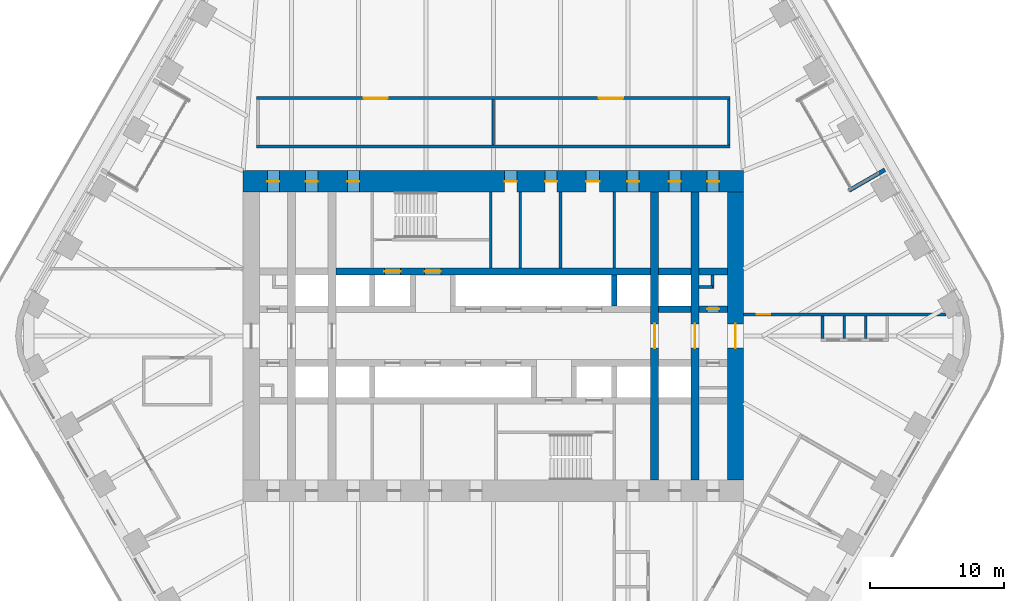
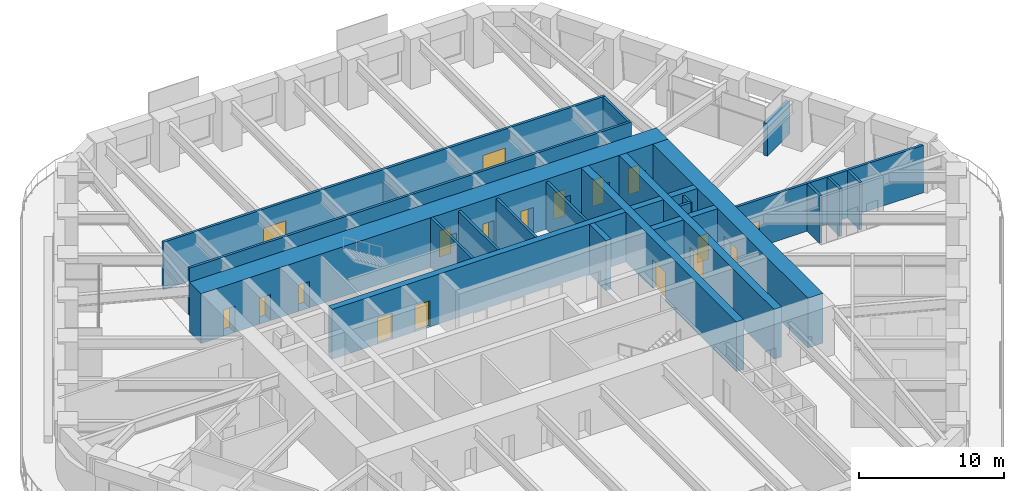
# One storey, part 20 of 24: 25 walls, 18 doors, 18 openings.
"""IFC4 building model written with IfcOpenShell, lengths in metres."""

from ifc_helpers import new_model, si_unit, direction, frame, frame_2d, origin, place, context, subcontext, project, spatial, rectangle, extrude, material, layer, layer_set, type_object, element, fill, save


model = new_model("IFC4")

# Units and contexts
model_context = context("Model", 3, precision=1e-05, world=origin(), true_north=direction((0.0, 1.0)))
body_context = subcontext(model_context, "Body", "Model", "MODEL_VIEW")
ifc_project = project(units=[si_unit("LENGTHUNIT", "METRE"), si_unit("AREAUNIT", "SQUARE_METRE"), si_unit("VOLUMEUNIT", "CUBIC_METRE"), si_unit("PLANEANGLEUNIT", "RADIAN"), si_unit("MASSUNIT", "GRAM", prefix="KILO")], contexts=[model_context])

# Site, building, storey
site_placement = place(None, origin())
site = spatial("IfcSite", under=ifc_project, at=site_placement, CompositionType="ELEMENT")
building_placement = place(site_placement, origin())
building = spatial("IfcBuilding", under=site, at=building_placement, Name="Tarfa Lantern Tower", CompositionType="ELEMENT")
storey_placement = place(building_placement, frame((0.0, 0.0, 165.699951171875)))
storey = spatial("IfcBuildingStorey", under=building, at=storey_placement, Name="L37", CompositionType="ELEMENT", Elevation=165.699951171875)

# Walls
ifc_material_1 = material(Name="Limestone cladding on blockwork", Category="masonry")
ifc_layer_1 = layer(ifc_material_1, 0.300048828125)
ifc_layer_set_1 = layer_set([ifc_layer_1], Name="EW1 STONE-CLAD WALL 300")
wall_type_1 = type_object("IfcWallType", Name="EW1 STONE-CLAD WALL 300", PredefinedType="SOLIDWALL", material=ifc_layer_set_1)
wall_1_placement = place(storey_placement, frame((29.1201171875, 12.362548828125, 0.0), z_axis=(0.0, 0.0, 1.0), x_axis=(-0.86602952684, -0.49999285859, 0.0)))
element("IfcWall", 1, at=wall_1_placement, inside=storey, type_object=wall_type_1, Name="Loggia return NE 1", PredefinedType="SOLIDWALL", context=body_context, shape_type="SweptSolid", body=[
    extrude(rectangle(XDim=3.10009765625, YDim=0.300048828125, at=frame_2d((1.550048828125, 0.0))), origin(), (0.0, 0.0, 1.0), 2.75),
])
ifc_material_2 = material(Name="Concrete blockwork", Category="masonry")
ifc_layer_2 = layer(ifc_material_2, 0.199951171875)
ifc_layer_set_2 = layer_set([ifc_layer_2], Name="IW1 BLOCKWORK PARTITION 200 EI 120")
wall_type_2 = type_object("IfcWallType", Name="IW1 BLOCKWORK PARTITION 200 EI 120", PredefinedType="PARTITIONING", material=ifc_layer_set_2)
for number, where, z_axis, x_axis, name in (
    (2, (9.0, 5.050048828125, 0.0), (0.0, 0.0, 1.0), (0.0, 1.0, 0.0), "Core partition"),
    (3, (2.0, 5.050048828125, 0.0), (0.0, 0.0, 1.0), (0.0, 1.0, 0.0), "Core partition"),
    (4, (5.0, 5.050048828125, 0.0), (0.0, 0.0, 1.0), (0.0, 1.0, 0.0), "Core partition"),
):
    element("IfcWall", number, at=place(storey_placement, frame(where, z_axis=z_axis, x_axis=x_axis)), inside=storey, type_object=wall_type_2, Name=name, PredefinedType="PARTITIONING", context=body_context, shape_type="SweptSolid", body=[
        extrude(rectangle(XDim=5.64990234375, YDim=0.199951171875, at=frame_2d((2.824951171875, 0.0))), origin(), (0.0, 0.0, 1.0), 4.0),
    ])
for number, where, z_axis, x_axis, name in (
    (5, (15.300048828125, 3.64990234375, 0.0), (0.0, 0.0, 1.0), (1.0, 0.0, 0.0), "Core partition"),
    (6, (16.300048828125, 3.550048828125, 0.0), (0.0, 0.0, 1.0), (0.0, 1.0, 0.0), "Core partition"),
):
    element("IfcWall", number, at=place(storey_placement, frame(where, z_axis=z_axis, x_axis=x_axis)), inside=storey, type_object=wall_type_2, Name=name, PredefinedType="PARTITIONING", context=body_context, shape_type="SweptSolid", body=[
        extrude(rectangle(XDim=1.0, YDim=0.199951171875, at=frame_2d((0.5, 0.0))), origin(), (0.0, 0.0, 1.0), 4.0),
    ])
ifc_material_3 = material(Name="Gypsum board on steel studs", Category="steel")
ifc_layer_3 = layer(ifc_material_3, 0.2099609375)
ifc_layer_set_3 = layer_set([ifc_layer_3], Name="IW2 ACOUSTIC PARTITION 200")
wall_type_3 = type_object("IfcWallType", Name="IW2 ACOUSTIC PARTITION 200", PredefinedType="PARTITIONING", material=ifc_layer_set_3)
wall_2_placement = place(storey_placement, frame((-17.60009765625, 14.10009765625, 0.0), z_axis=(0.0, 0.0, 1.0), x_axis=(1.0, 0.0, 0.0)))
element("IfcWall", 7, at=wall_2_placement, inside=storey, type_object=wall_type_3, Name="Partition", PredefinedType="PARTITIONING", context=body_context, shape_type="SweptSolid", body=[
    extrude(rectangle(XDim=35.2001953125, YDim=0.199951171875, at=frame_2d((17.60009765625, 0.0))), origin(), (0.0, 0.0, 1.0), 4.0),
])

# Wall, openings, doors
wall_3_placement = place(storey_placement, frame((-17.60009765625, 17.699951171875, 0.0), z_axis=(0.0, 0.0, 1.0), x_axis=(1.0, 0.0, 0.0)))
wall_3 = element("IfcWall", 8, at=wall_3_placement, inside=storey, type_object=wall_type_3, Name="Partition", PredefinedType="PARTITIONING", context=body_context, shape_type="SweptSolid", body=[
    extrude(rectangle(XDim=35.2001953125, YDim=0.199951171875, at=frame_2d((17.60009765625, 0.0))), origin(), (0.0, 0.0, 1.0), 4.0),
])
opening_1_placement = place(wall_3_placement, frame((7.949951171875, 0.0, 0.0)))
opening_1 = element("IfcOpeningElement", 9, at=opening_1_placement, cuts=wall_3, Name="Opening D39", PredefinedType="OPENING", context=body_context, shape_type="SweptSolid", body=[
    extrude(rectangle(XDim=1.800048828125, YDim=2.39990234375, at=frame_2d((0.89990234375, 1.199951171875))), frame((0.0, 0.10986328125, 0.0), z_axis=(0.0, -1.0, 0.0), x_axis=(1.0, 0.0, 0.0)), (0.0, 0.0, 1.0), 0.219970703125),
])
opening_2_placement = place(wall_3_placement, frame((25.449951171875, 0.0, 0.0)))
opening_2 = element("IfcOpeningElement", 10, at=opening_2_placement, cuts=wall_3, Name="Opening D40", PredefinedType="OPENING", context=body_context, shape_type="SweptSolid", body=[
    extrude(rectangle(XDim=1.800048828125, YDim=2.39990234375, at=frame_2d((0.89990234375, 1.199951171875))), frame((0.0, 0.10986328125, 0.0), z_axis=(0.0, -1.0, 0.0), x_axis=(1.0, 0.0, 0.0)), (0.0, 0.0, 1.0), 0.219970703125),
])
ifc_material_4 = material(Name="Timber door", Category="wood")
door_type_1 = type_object("IfcDoorType", Name="DR2 ROOM DOOR 1800x2400", OperationType="DOUBLE_DOOR_SINGLE_SWING", PredefinedType="DOOR", material=ifc_material_4)
door_1_placement = place(opening_1_placement, frame((1.800048828125, 0.0, 0.0), z_axis=(0.0, 0.0, 1.0), x_axis=(-1.0, 0.0, 0.0)))
door_1 = element("IfcDoor", 11, at=door_1_placement, inside=storey, type_object=door_type_1, Name="Interview room door", OperationType="DOUBLE_DOOR_SINGLE_SWING", OverallHeight=2.39990234375, OverallWidth=1.800048828125, PredefinedType="DOOR", context=body_context, shape_type="SweptSolid", body=[
    extrude(rectangle(XDim=1.800048828125, YDim=2.39990234375, at=frame_2d((0.89990234375, 1.199951171875))), frame((0.0, 0.02490234375, 0.0), z_axis=(0.0, -1.0, 0.0), x_axis=(1.0, 0.0, 0.0)), (0.0, 0.0, 1.0), 0.050048828125),
])
fill(opening_1, door_1)
door_2_placement = place(opening_2_placement, frame((1.800048828125, 0.0, 0.0), z_axis=(0.0, 0.0, 1.0), x_axis=(-1.0, 0.0, 0.0)))
door_2 = element("IfcDoor", 12, at=door_2_placement, inside=storey, type_object=door_type_1, Name="Interview room door", OperationType="DOUBLE_DOOR_SINGLE_SWING", OverallHeight=2.39990234375, OverallWidth=1.800048828125, PredefinedType="DOOR", context=body_context, shape_type="SweptSolid", body=[
    extrude(rectangle(XDim=1.800048828125, YDim=2.39990234375, at=frame_2d((0.89990234375, 1.199951171875))), frame((0.0, 0.02490234375, 0.0), z_axis=(0.0, -1.0, 0.0), x_axis=(1.0, 0.0, 0.0)), (0.0, 0.0, 1.0), 0.050048828125),
])
fill(opening_2, door_2)

# Walls
wall_4_placement = place(storey_placement, frame((0.0, 14.199951171875, 0.0), z_axis=(0.0, 0.0, 1.0), x_axis=(0.0, 1.0, 0.0)))
element("IfcWall", 13, at=wall_4_placement, inside=storey, type_object=wall_type_3, Name="Partition", PredefinedType="PARTITIONING", context=body_context, shape_type="SweptSolid", body=[
    extrude(rectangle(XDim=3.400146484375, YDim=0.199951171875, at=frame_2d((1.7001953125, 0.0))), origin(), (0.0, 0.0, 1.0), 2.991943359375),
])
wall_5_placement = place(storey_placement, frame((17.5, 14.199951171875, 0.0), z_axis=(0.0, 0.0, 1.0), x_axis=(0.0, 1.0, 0.0)))
element("IfcWall", 14, at=wall_5_placement, inside=storey, type_object=wall_type_3, Name="Partition", PredefinedType="PARTITIONING", context=body_context, shape_type="SweptSolid", body=[
    extrude(rectangle(XDim=3.400146484375, YDim=0.199951171875, at=frame_2d((1.7001953125, 0.0))), origin(), (0.0, 0.0, 1.0), 4.0),
])

# Wall, opening, door
wall_6_placement = place(storey_placement, frame((18.60009765625, 1.60009765625, 0.0), z_axis=(0.0, 0.0, 1.0), x_axis=(1.0, 0.0, 0.0)))
wall_6 = element("IfcWall", 15, at=wall_6_placement, inside=storey, type_object=wall_type_3, Name="Partition", PredefinedType="PARTITIONING", context=body_context, shape_type="SweptSolid", body=[
    extrude(rectangle(XDim=15.059326171875, YDim=0.199951171875, at=frame_2d((7.52978515625, 0.0))), origin(), (0.0, 0.0, 1.0), 4.0),
])
opening_3_placement = place(wall_6_placement, frame((1.005859375, 0.0, 0.0)))
opening_3 = element("IfcOpeningElement", 16, at=opening_3_placement, cuts=wall_6, Name="Opening D47", PredefinedType="OPENING", context=body_context, shape_type="SweptSolid", body=[
    extrude(rectangle(XDim=1.0, YDim=2.199951171875, at=frame_2d((0.5, 1.10009765625))), frame((0.0, 0.10986328125, 0.0), z_axis=(0.0, -1.0, 0.0), x_axis=(1.0, 0.0, 0.0)), (0.0, 0.0, 1.0), 0.219970703125),
])
door_type_2 = type_object("IfcDoorType", Name="DR1 ROOM DOOR 1000x2200", OperationType="SINGLE_SWING_LEFT", PredefinedType="DOOR", material=ifc_material_4)
door_3_placement = place(opening_3_placement, frame((1.0, 0.0, 0.0), z_axis=(0.0, 0.0, 1.0), x_axis=(-1.0, 0.0, 0.0)))
door_3 = element("IfcDoor", 17, at=door_3_placement, inside=storey, type_object=door_type_2, Name="Zone door", OperationType="SINGLE_SWING_LEFT", OverallHeight=2.199951171875, OverallWidth=1.0, PredefinedType="DOOR", context=body_context, shape_type="SweptSolid", body=[
    extrude(rectangle(XDim=1.0, YDim=2.199951171875, at=frame_2d((0.5, 1.10009765625))), frame((0.0, 0.02490234375, 0.0), z_axis=(0.0, -1.0, 0.0), x_axis=(1.0, 0.0, 0.0)), (0.0, 0.0, 1.0), 0.050048828125),
])
fill(opening_3, door_3)

# Walls
for number, where, z_axis, x_axis, name in (
    (18, (24.482666015625, 1.5, 0.0), (0.0, 0.0, 1.0), (0.0, -1.0, 0.0), "Partition"),
    (19, (26.082763671875, 1.5, 0.0), (0.0, 0.0, 1.0), (0.0, -1.0, 0.0), "Partition"),
    (20, (27.6826171875, 1.5, 0.0), (0.0, 0.0, 1.0), (0.0, -1.0, 0.0), "Partition"),
):
    element("IfcWall", number, at=place(storey_placement, frame(where, z_axis=z_axis, x_axis=x_axis)), inside=storey, type_object=wall_type_3, Name=name, PredefinedType="PARTITIONING", context=body_context, shape_type="SweptSolid", body=[
        extrude(rectangle(XDim=1.699951171875, YDim=0.199951171875, at=frame_2d((0.85009765625, 0.0))), origin(), (0.0, 0.0, 1.0), 4.0),
    ])

# Wall, opening, door
ifc_material_5 = material(Name="Concrete C80/95", Category="concrete")
ifc_layer_4 = layer(ifc_material_5, 1.199951171875)
ifc_layer_set_4 = layer_set([ifc_layer_4], Name="SW1 CORE WALL 1200")
wall_type_4 = type_object("IfcWallType", Name="SW1 CORE WALL 1200", PredefinedType="SHEAR", material=ifc_layer_set_4)
wall_7_placement = place(storey_placement, frame((18.0, -10.699951171875, 0.0), z_axis=(0.0, 0.0, 1.0), x_axis=(0.0, 1.0, 0.0)))
wall_7 = element("IfcWall", 21, at=wall_7_placement, inside=storey, type_object=wall_type_4, Name="Core wall E", PredefinedType="SHEAR", context=body_context, shape_type="SweptSolid", body=[
    extrude(rectangle(XDim=21.39990234375, YDim=1.199951171875, at=frame_2d((10.699951171875, 0.0))), origin(), (0.0, 0.0, 1.0), 4.199951171875),
])
opening_4_placement = place(wall_7_placement, frame((9.800048828125, 0.0, 0.0)))
opening_4 = element("IfcOpeningElement", 22, at=opening_4_placement, cuts=wall_7, Name="Opening D15", PredefinedType="OPENING", context=body_context, shape_type="SweptSolid", body=[
    extrude(rectangle(XDim=1.800048828125, YDim=2.39990234375, at=frame_2d((0.89990234375, 1.199951171875))), frame((0.0, 0.60986328125, 0.0), z_axis=(0.0, -1.0, 0.0), x_axis=(1.0, 0.0, 0.0)), (0.0, 0.0, 1.0), 1.219970703125),
])
ifc_material_6 = material(Name="Steel fire door", Category="steel")
door_type_3 = type_object("IfcDoorType", Name="DL1 LOBBY DOOR 1800x2400", OperationType="DOUBLE_DOOR_SINGLE_SWING", PredefinedType="DOOR", material=ifc_material_6)
door_4_placement = place(opening_4_placement, frame((1.800048828125, 0.0, 0.0), z_axis=(0.0, 0.0, 1.0), x_axis=(-1.0, 0.0, 0.0)))
door_4 = element("IfcDoor", 23, at=door_4_placement, inside=storey, type_object=door_type_3, Name="Lift lobby door", OperationType="DOUBLE_DOOR_SINGLE_SWING", OverallHeight=2.39990234375, OverallWidth=1.800048828125, PredefinedType="DOOR", context=body_context, shape_type="SweptSolid", body=[
    extrude(rectangle(XDim=1.800048828125, YDim=2.39990234375, at=frame_2d((0.89990234375, 1.199951171875))), frame((0.0, 0.02490234375, 0.0), z_axis=(0.0, -1.0, 0.0), x_axis=(1.0, 0.0, 0.0)), (0.0, 0.0, 1.0), 0.050048828125),
])
fill(opening_4, door_4)

# Walls
ifc_layer_5 = layer(ifc_material_5, 0.199951171875)
ifc_layer_set_5 = layer_set([ifc_layer_5], Name="SW12 CORE WALL 200")
wall_type_5 = type_object("IfcWallType", Name="SW12 CORE WALL 200", PredefinedType="SHEAR", material=ifc_layer_set_5)
wall_8_placement = place(storey_placement, frame((-0.199951171875, 5.050048828125, 0.0), z_axis=(0.0, 0.0, 1.0), x_axis=(0.0, 1.0, 0.0)))
element("IfcWall", 24, at=wall_8_placement, inside=storey, type_object=wall_type_5, Name="Core wall stair shaft N", PredefinedType="SHEAR", context=body_context, shape_type="SweptSolid", body=[
    extrude(rectangle(XDim=5.64990234375, YDim=0.199951171875, at=frame_2d((2.824951171875, 0.0))), origin(), (0.0, 0.0, 1.0), 4.199951171875),
])
ifc_layer_6 = layer(ifc_material_5, 0.5)
ifc_layer_set_6 = layer_set([ifc_layer_6], Name="SW5 CORE WALL 500")
wall_type_6 = type_object("IfcWallType", Name="SW5 CORE WALL 500", PredefinedType="SHEAR", material=ifc_layer_set_6)
wall_9_placement = place(storey_placement, frame((12.300048828125, 2.0, 0.0), z_axis=(0.0, 0.0, 1.0), x_axis=(1.0, 0.0, 0.0)))
element("IfcWall", 25, at=wall_9_placement, inside=storey, type_object=wall_type_6, Name="Core wall lobby east N", PredefinedType="SHEAR", context=body_context, shape_type="SweptSolid", body=[
    extrude(rectangle(XDim=2.39990234375, YDim=0.5, at=frame_2d((1.199951171875, 0.0))), origin(), (0.0, 0.0, 1.0), 4.199951171875),
])

# Wall, opening, door
wall_10_placement = place(storey_placement, frame((15.300048828125, 2.0, 0.0), z_axis=(0.0, 0.0, 1.0), x_axis=(1.0, 0.0, 0.0)))
wall_10 = element("IfcWall", 26, at=wall_10_placement, inside=storey, type_object=wall_type_6, Name="Core wall lobby east N", PredefinedType="SHEAR", context=body_context, shape_type="SweptSolid", body=[
    extrude(rectangle(XDim=2.099853515625, YDim=0.5, at=frame_2d((1.0498046875, 0.0))), origin(), (0.0, 0.0, 1.0), 4.199951171875),
])
opening_5_placement = place(wall_10_placement, frame((0.60009765625, 0.0, 0.0)))
opening_5 = element("IfcOpeningElement", 27, at=opening_5_placement, cuts=wall_10, Name="Opening D17", PredefinedType="OPENING", context=body_context, shape_type="SweptSolid", body=[
    extrude(rectangle(XDim=0.89990234375, YDim=2.199951171875, at=frame_2d((0.449951171875, 1.10009765625))), frame((0.0, 0.260009765625, 0.0), z_axis=(0.0, -1.0, 0.0), x_axis=(1.0, 0.0, 0.0)), (0.0, 0.0, 1.0), 0.52001953125),
])
door_type_4 = type_object("IfcDoorType", Name="DF6 SERVICE ROOM DOOR 900x2200", OperationType="SINGLE_SWING_LEFT", PredefinedType="DOOR", material=ifc_material_6)
door_5_placement = place(opening_5_placement, origin())
door_5 = element("IfcDoor", 28, at=door_5_placement, inside=storey, type_object=door_type_4, Name="Service room door", OperationType="SINGLE_SWING_LEFT", OverallHeight=2.199951171875, OverallWidth=0.89990234375, PredefinedType="DOOR", context=body_context, shape_type="SweptSolid", body=[
    extrude(rectangle(XDim=0.89990234375, YDim=2.199951171875, at=frame_2d((0.449951171875, 1.10009765625))), frame((0.0, 0.02490234375, 0.0), z_axis=(0.0, -1.0, 0.0), x_axis=(1.0, 0.0, 0.0)), (0.0, 0.0, 1.0), 0.050048828125),
])
fill(opening_5, door_5)

# Wall, openings, doors
wall_11_placement = place(storey_placement, frame((-11.699951171875, 4.800048828125, 0.0), z_axis=(0.0, 0.0, 1.0), x_axis=(1.0, 0.0, 0.0)))
wall_11 = element("IfcWall", 29, at=wall_11_placement, inside=storey, type_object=wall_type_6, Name="Core wall rear N", PredefinedType="SHEAR", context=body_context, shape_type="SweptSolid", body=[
    extrude(rectangle(XDim=23.39990234375, YDim=0.5, at=frame_2d((11.699951171875, 0.0))), origin(), (0.0, 0.0, 1.0), 4.199951171875),
])
opening_6_placement = place(wall_11_placement, frame((6.60009765625, 0.0, 0.0)))
opening_6 = element("IfcOpeningElement", 30, at=opening_6_placement, cuts=wall_11, Name="Opening D13", PredefinedType="OPENING", context=body_context, shape_type="SweptSolid", body=[
    extrude(rectangle(XDim=1.199951171875, YDim=2.199951171875, at=frame_2d((0.60009765625, 1.10009765625))), frame((0.0, 0.260009765625, 0.0), z_axis=(0.0, -1.0, 0.0), x_axis=(1.0, 0.0, 0.0)), (0.0, 0.0, 1.0), 0.52001953125),
])
opening_7_placement = place(wall_11_placement, frame((3.60009765625, 0.0, 0.0)))
opening_7 = element("IfcOpeningElement", 31, at=opening_7_placement, cuts=wall_11, Name="Opening LD01", PredefinedType="OPENING", context=body_context, shape_type="SweptSolid", body=[
    extrude(rectangle(XDim=1.199951171875, YDim=2.199951171875, at=frame_2d((0.60009765625, 1.10009765625))), frame((0.0, 0.260009765625, 0.0), z_axis=(0.0, -1.0, 0.0), x_axis=(1.0, 0.0, 0.0)), (0.0, 0.0, 1.0), 0.52001953125),
])
door_type_5 = type_object("IfcDoorType", Name="DF1 FIREFIGHTING LOBBY DOOR 1200x2200", OperationType="SINGLE_SWING_LEFT", PredefinedType="DOOR", material=ifc_material_6)
door_6_placement = place(opening_6_placement, origin())
door_6 = element("IfcDoor", 32, at=door_6_placement, inside=storey, type_object=door_type_5, Name="Firefighting lobby door", OperationType="SINGLE_SWING_LEFT", OverallHeight=2.199951171875, OverallWidth=1.199951171875, PredefinedType="DOOR", context=body_context, shape_type="SweptSolid", body=[
    extrude(rectangle(XDim=1.199951171875, YDim=2.199951171875, at=frame_2d((0.60009765625, 1.10009765625))), frame((0.0, 0.02490234375, 0.0), z_axis=(0.0, -1.0, 0.0), x_axis=(1.0, 0.0, 0.0)), (0.0, 0.0, 1.0), 0.050048828125),
])
fill(opening_6, door_6)
ifc_material_7 = material(Name="Stainless steel lift door", Category="steel")
door_type_6 = type_object("IfcDoorType", Name="LD1 LIFT LANDING DOOR 1200x2200", OperationType="SLIDING_TO_LEFT", PredefinedType="DOOR", material=ifc_material_7)
door_7_placement = place(opening_7_placement, origin())
door_7 = element("IfcDoor", 33, at=door_7_placement, inside=storey, type_object=door_type_6, Name="Landing door FL1", OperationType="SLIDING_TO_LEFT", OverallHeight=2.199951171875, OverallWidth=1.199951171875, PredefinedType="DOOR", context=body_context, shape_type="SweptSolid", body=[
    extrude(rectangle(XDim=1.199951171875, YDim=2.199951171875, at=frame_2d((0.60009765625, 1.10009765625))), frame((0.0, 0.02490234375, 0.0), z_axis=(0.0, -1.0, 0.0), x_axis=(1.0, 0.0, 0.0)), (0.0, 0.0, 1.0), 0.050048828125),
])
fill(opening_7, door_7)

# Walls
wall_12_placement = place(storey_placement, frame((12.300048828125, 4.800048828125, 0.0), z_axis=(0.0, 0.0, 1.0), x_axis=(1.0, 0.0, 0.0)))
element("IfcWall", 34, at=wall_12_placement, inside=storey, type_object=wall_type_6, Name="Core wall rear N", PredefinedType="SHEAR", context=body_context, shape_type="SweptSolid", body=[
    extrude(rectangle(XDim=2.39990234375, YDim=0.5, at=frame_2d((1.199951171875, 0.0))), origin(), (0.0, 0.0, 1.0), 4.199951171875),
])
wall_13_placement = place(storey_placement, frame((15.300048828125, 4.800048828125, 0.0), z_axis=(0.0, 0.0, 1.0), x_axis=(1.0, 0.0, 0.0)))
element("IfcWall", 35, at=wall_13_placement, inside=storey, type_object=wall_type_6, Name="Core wall rear N", PredefinedType="SHEAR", context=body_context, shape_type="SweptSolid", body=[
    extrude(rectangle(XDim=2.099853515625, YDim=0.5, at=frame_2d((1.0498046875, 0.0))), origin(), (0.0, 0.0, 1.0), 4.199951171875),
])
ifc_layer_7 = layer(ifc_material_5, 0.39990234375)
ifc_layer_set_7 = layer_set([ifc_layer_7], Name="SW6 CORE WALL 400")
wall_type_7 = type_object("IfcWallType", Name="SW6 CORE WALL 400", PredefinedType="SHEAR", material=ifc_layer_set_7)
wall_14_placement = place(storey_placement, frame((9.0, 2.25, 0.0), z_axis=(0.0, 0.0, 1.0), x_axis=(0.0, 1.0, 0.0)))
element("IfcWall", 36, at=wall_14_placement, inside=storey, type_object=wall_type_7, Name="Core wall divider N", PredefinedType="SHEAR", context=body_context, shape_type="SweptSolid", body=[
    extrude(rectangle(XDim=2.300048828125, YDim=0.39990234375, at=frame_2d((1.14990234375, 0.0))), origin(), (0.0, 0.0, 1.0), 4.199951171875),
])

# Wall, openings, doors
ifc_layer_8 = layer(ifc_material_5, 1.60009765625)
ifc_layer_set_8 = layer_set([ifc_layer_8], Name="SW7 CORE WALL 1600")
wall_type_8 = type_object("IfcWallType", Name="SW7 CORE WALL 1600", PredefinedType="SHEAR", material=ifc_layer_set_8)
wall_15_placement = place(storey_placement, frame((-18.60009765625, 11.5, 0.0), z_axis=(0.0, 0.0, 1.0), x_axis=(1.0, 0.0, 0.0)))
wall_15 = element("IfcWall", 37, at=wall_15_placement, inside=storey, type_object=wall_type_8, Name="Core wall N", PredefinedType="SHEAR", context=body_context, shape_type="SweptSolid", body=[
    extrude(rectangle(XDim=37.2001953125, YDim=1.60009765625, at=frame_2d((18.60009765625, 0.0))), origin(), (0.0, 0.0, 1.0), 4.199951171875),
])
opening_8_placement = place(wall_15_placement, frame((19.449951171875, 0.0, 0.0)))
opening_8 = element("IfcOpeningElement", 38, at=opening_8_placement, cuts=wall_15, Name="Opening D21", PredefinedType="OPENING", context=body_context, shape_type="SweptSolid", body=[
    extrude(rectangle(XDim=0.89990234375, YDim=2.199951171875, at=frame_2d((0.449951171875, 1.10009765625))), frame((0.0, 0.81005859375, 0.0), z_axis=(0.0, -1.0, 0.0), x_axis=(1.0, 0.0, 0.0)), (0.0, 0.0, 1.0), 1.6201171875),
])
opening_9_placement = place(wall_15_placement, frame((22.449951171875, 0.0, 0.0)))
opening_9 = element("IfcOpeningElement", 39, at=opening_9_placement, cuts=wall_15, Name="Opening D23", PredefinedType="OPENING", context=body_context, shape_type="SweptSolid", body=[
    extrude(rectangle(XDim=0.89990234375, YDim=2.199951171875, at=frame_2d((0.449951171875, 1.10009765625))), frame((0.0, 0.81005859375, 0.0), z_axis=(0.0, -1.0, 0.0), x_axis=(1.0, 0.0, 0.0)), (0.0, 0.0, 1.0), 1.6201171875),
])
opening_10_placement = place(wall_15_placement, frame((25.5, 0.0, 0.0)))
opening_10 = element("IfcOpeningElement", 40, at=opening_10_placement, cuts=wall_15, Name="Opening D25", PredefinedType="OPENING", context=body_context, shape_type="SweptSolid", body=[
    extrude(rectangle(XDim=1.0, YDim=2.199951171875, at=frame_2d((0.5, 1.10009765625))), frame((0.0, 0.81005859375, 0.0), z_axis=(0.0, -1.0, 0.0), x_axis=(1.0, 0.0, 0.0)), (0.0, 0.0, 1.0), 1.6201171875),
])
opening_11_placement = place(wall_15_placement, frame((1.800048828125, 0.0, 0.0)))
opening_11 = element("IfcOpeningElement", 41, at=opening_11_placement, cuts=wall_15, Name="Opening D11", PredefinedType="OPENING", context=body_context, shape_type="SweptSolid", body=[
    extrude(rectangle(XDim=0.89990234375, YDim=2.199951171875, at=frame_2d((0.449951171875, 1.10009765625))), frame((0.0, 0.81005859375, 0.0), z_axis=(0.0, -1.0, 0.0), x_axis=(1.0, 0.0, 0.0)), (0.0, 0.0, 1.0), 1.6201171875),
])
opening_12_placement = place(wall_15_placement, frame((4.64990234375, 0.0, 0.0)))
opening_12 = element("IfcOpeningElement", 42, at=opening_12_placement, cuts=wall_15, Name="Opening D07", PredefinedType="OPENING", context=body_context, shape_type="SweptSolid", body=[
    extrude(rectangle(XDim=0.89990234375, YDim=2.199951171875, at=frame_2d((0.449951171875, 1.10009765625))), frame((0.0, 0.81005859375, 0.0), z_axis=(0.0, -1.0, 0.0), x_axis=(1.0, 0.0, 0.0)), (0.0, 0.0, 1.0), 1.6201171875),
])
opening_13_placement = place(wall_15_placement, frame((7.75, 0.0, 0.0)))
opening_13 = element("IfcOpeningElement", 43, at=opening_13_placement, cuts=wall_15, Name="Opening D09", PredefinedType="OPENING", context=body_context, shape_type="SweptSolid", body=[
    extrude(rectangle(XDim=0.89990234375, YDim=2.199951171875, at=frame_2d((0.449951171875, 1.10009765625))), frame((0.0, 0.81005859375, 0.0), z_axis=(0.0, -1.0, 0.0), x_axis=(1.0, 0.0, 0.0)), (0.0, 0.0, 1.0), 1.6201171875),
])
opening_14_placement = place(wall_15_placement, frame((28.550048828125, 0.0, 0.0)))
opening_14 = element("IfcOpeningElement", 44, at=opening_14_placement, cuts=wall_15, Name="Opening D05", PredefinedType="OPENING", context=body_context, shape_type="SweptSolid", body=[
    extrude(rectangle(XDim=0.89990234375, YDim=2.199951171875, at=frame_2d((0.449951171875, 1.10009765625))), frame((0.0, 0.81005859375, 0.0), z_axis=(0.0, -1.0, 0.0), x_axis=(1.0, 0.0, 0.0)), (0.0, 0.0, 1.0), 1.6201171875),
])
opening_15_placement = place(wall_15_placement, frame((31.64990234375, 0.0, 0.0)))
opening_15 = element("IfcOpeningElement", 45, at=opening_15_placement, cuts=wall_15, Name="Opening D01", PredefinedType="OPENING", context=body_context, shape_type="SweptSolid", body=[
    extrude(rectangle(XDim=0.89990234375, YDim=2.199951171875, at=frame_2d((0.449951171875, 1.10009765625))), frame((0.0, 0.81005859375, 0.0), z_axis=(0.0, -1.0, 0.0), x_axis=(1.0, 0.0, 0.0)), (0.0, 0.0, 1.0), 1.6201171875),
])
opening_16_placement = place(wall_15_placement, frame((34.5, 0.0, 0.0)))
opening_16 = element("IfcOpeningElement", 46, at=opening_16_placement, cuts=wall_15, Name="Opening D03", PredefinedType="OPENING", context=body_context, shape_type="SweptSolid", body=[
    extrude(rectangle(XDim=0.89990234375, YDim=2.199951171875, at=frame_2d((0.449951171875, 1.10009765625))), frame((0.0, 0.81005859375, 0.0), z_axis=(0.0, -1.0, 0.0), x_axis=(1.0, 0.0, 0.0)), (0.0, 0.0, 1.0), 1.6201171875),
])
door_type_7 = type_object("IfcDoorType", Name="DF3 CORE ROOM DOOR 900x2200", OperationType="SINGLE_SWING_LEFT", PredefinedType="DOOR", material=ifc_material_6)
door_8_placement = place(opening_8_placement, frame((0.89990234375, 0.0, 0.0), z_axis=(0.0, 0.0, 1.0), x_axis=(-1.0, 0.0, 0.0)))
door_8 = element("IfcDoor", 47, at=door_8_placement, inside=storey, type_object=door_type_7, Name="Core door", OperationType="SINGLE_SWING_RIGHT", OverallHeight=2.199951171875, OverallWidth=0.89990234375, PredefinedType="DOOR", context=body_context, shape_type="SweptSolid", body=[
    extrude(rectangle(XDim=0.89990234375, YDim=2.199951171875, at=frame_2d((0.449951171875, 1.10009765625))), frame((0.0, 0.02490234375, 0.0), z_axis=(0.0, -1.0, 0.0), x_axis=(1.0, 0.0, 0.0)), (0.0, 0.0, 1.0), 0.050048828125),
])
fill(opening_8, door_8)
door_9_placement = place(opening_9_placement, frame((0.89990234375, 0.0, 0.0), z_axis=(0.0, 0.0, 1.0), x_axis=(-1.0, 0.0, 0.0)))
door_9 = element("IfcDoor", 48, at=door_9_placement, inside=storey, type_object=door_type_7, Name="Core door", OperationType="SINGLE_SWING_RIGHT", OverallHeight=2.199951171875, OverallWidth=0.89990234375, PredefinedType="DOOR", context=body_context, shape_type="SweptSolid", body=[
    extrude(rectangle(XDim=0.89990234375, YDim=2.199951171875, at=frame_2d((0.449951171875, 1.10009765625))), frame((0.0, 0.02490234375, 0.0), z_axis=(0.0, -1.0, 0.0), x_axis=(1.0, 0.0, 0.0)), (0.0, 0.0, 1.0), 0.050048828125),
])
fill(opening_9, door_9)
door_type_8 = type_object("IfcDoorType", Name="DF4 CORE ROOM DOOR 1000x2200", OperationType="SINGLE_SWING_LEFT", PredefinedType="DOOR", material=ifc_material_6)
door_10_placement = place(opening_10_placement, frame((1.0, 0.0, 0.0), z_axis=(0.0, 0.0, 1.0), x_axis=(-1.0, 0.0, 0.0)))
door_10 = element("IfcDoor", 49, at=door_10_placement, inside=storey, type_object=door_type_8, Name="Core door", OperationType="SINGLE_SWING_RIGHT", OverallHeight=2.199951171875, OverallWidth=1.0, PredefinedType="DOOR", context=body_context, shape_type="SweptSolid", body=[
    extrude(rectangle(XDim=1.0, YDim=2.199951171875, at=frame_2d((0.5, 1.10009765625))), frame((0.0, 0.02490234375, 0.0), z_axis=(0.0, -1.0, 0.0), x_axis=(1.0, 0.0, 0.0)), (0.0, 0.0, 1.0), 0.050048828125),
])
fill(opening_10, door_10)
door_type_9 = type_object("IfcDoorType", Name="DF5 RISER DOOR 900x2200", OperationType="SINGLE_SWING_LEFT", PredefinedType="DOOR", material=ifc_material_6)
door_11_placement = place(opening_11_placement, frame((0.89990234375, 0.0, 0.0), z_axis=(0.0, 0.0, 1.0), x_axis=(-1.0, 0.0, 0.0)))
door_11 = element("IfcDoor", 50, at=door_11_placement, inside=storey, type_object=door_type_9, Name="Riser door", OperationType="SINGLE_SWING_LEFT", OverallHeight=2.199951171875, OverallWidth=0.89990234375, PredefinedType="DOOR", context=body_context, shape_type="SweptSolid", body=[
    extrude(rectangle(XDim=0.89990234375, YDim=2.199951171875, at=frame_2d((0.449951171875, 1.10009765625))), frame((0.0, 0.02490234375, 0.0), z_axis=(0.0, -1.0, 0.0), x_axis=(1.0, 0.0, 0.0)), (0.0, 0.0, 1.0), 0.050048828125),
])
fill(opening_11, door_11)
door_12_placement = place(opening_12_placement, frame((0.89990234375, 0.0, 0.0), z_axis=(0.0, 0.0, 1.0), x_axis=(-1.0, 0.0, 0.0)))
door_12 = element("IfcDoor", 51, at=door_12_placement, inside=storey, type_object=door_type_9, Name="Riser door", OperationType="SINGLE_SWING_LEFT", OverallHeight=2.199951171875, OverallWidth=0.89990234375, PredefinedType="DOOR", context=body_context, shape_type="SweptSolid", body=[
    extrude(rectangle(XDim=0.89990234375, YDim=2.199951171875, at=frame_2d((0.449951171875, 1.10009765625))), frame((0.0, 0.02490234375, 0.0), z_axis=(0.0, -1.0, 0.0), x_axis=(1.0, 0.0, 0.0)), (0.0, 0.0, 1.0), 0.050048828125),
])
fill(opening_12, door_12)
door_13_placement = place(opening_13_placement, frame((0.89990234375, 0.0, 0.0), z_axis=(0.0, 0.0, 1.0), x_axis=(-1.0, 0.0, 0.0)))
door_13 = element("IfcDoor", 52, at=door_13_placement, inside=storey, type_object=door_type_9, Name="Riser door", OperationType="SINGLE_SWING_LEFT", OverallHeight=2.199951171875, OverallWidth=0.89990234375, PredefinedType="DOOR", context=body_context, shape_type="SweptSolid", body=[
    extrude(rectangle(XDim=0.89990234375, YDim=2.199951171875, at=frame_2d((0.449951171875, 1.10009765625))), frame((0.0, 0.02490234375, 0.0), z_axis=(0.0, -1.0, 0.0), x_axis=(1.0, 0.0, 0.0)), (0.0, 0.0, 1.0), 0.050048828125),
])
fill(opening_13, door_13)
door_14_placement = place(opening_14_placement, frame((0.89990234375, 0.0, 0.0), z_axis=(0.0, 0.0, 1.0), x_axis=(-1.0, 0.0, 0.0)))
door_14 = element("IfcDoor", 53, at=door_14_placement, inside=storey, type_object=door_type_9, Name="Riser door", OperationType="SINGLE_SWING_RIGHT", OverallHeight=2.199951171875, OverallWidth=0.89990234375, PredefinedType="DOOR", context=body_context, shape_type="SweptSolid", body=[
    extrude(rectangle(XDim=0.89990234375, YDim=2.199951171875, at=frame_2d((0.449951171875, 1.10009765625))), frame((0.0, 0.02490234375, 0.0), z_axis=(0.0, -1.0, 0.0), x_axis=(1.0, 0.0, 0.0)), (0.0, 0.0, 1.0), 0.050048828125),
])
fill(opening_14, door_14)
door_15_placement = place(opening_15_placement, frame((0.89990234375, 0.0, 0.0), z_axis=(0.0, 0.0, 1.0), x_axis=(-1.0, 0.0, 0.0)))
door_15 = element("IfcDoor", 54, at=door_15_placement, inside=storey, type_object=door_type_9, Name="Riser door", OperationType="SINGLE_SWING_RIGHT", OverallHeight=2.199951171875, OverallWidth=0.89990234375, PredefinedType="DOOR", context=body_context, shape_type="SweptSolid", body=[
    extrude(rectangle(XDim=0.89990234375, YDim=2.199951171875, at=frame_2d((0.449951171875, 1.10009765625))), frame((0.0, 0.02490234375, 0.0), z_axis=(0.0, -1.0, 0.0), x_axis=(1.0, 0.0, 0.0)), (0.0, 0.0, 1.0), 0.050048828125),
])
fill(opening_15, door_15)
door_16_placement = place(opening_16_placement, frame((0.89990234375, 0.0, 0.0), z_axis=(0.0, 0.0, 1.0), x_axis=(-1.0, 0.0, 0.0)))
door_16 = element("IfcDoor", 55, at=door_16_placement, inside=storey, type_object=door_type_9, Name="Riser door", OperationType="SINGLE_SWING_RIGHT", OverallHeight=2.199951171875, OverallWidth=0.89990234375, PredefinedType="DOOR", context=body_context, shape_type="SweptSolid", body=[
    extrude(rectangle(XDim=0.89990234375, YDim=2.199951171875, at=frame_2d((0.449951171875, 1.10009765625))), frame((0.0, 0.02490234375, 0.0), z_axis=(0.0, -1.0, 0.0), x_axis=(1.0, 0.0, 0.0)), (0.0, 0.0, 1.0), 0.050048828125),
])
fill(opening_16, door_16)

# Wall, opening, door
ifc_layer_9 = layer(ifc_material_5, 0.60009765625)
ifc_layer_set_9 = layer_set([ifc_layer_9], Name="SW9 CORE WALL 600")
wall_type_9 = type_object("IfcWallType", Name="SW9 CORE WALL 600", PredefinedType="SHEAR", material=ifc_layer_set_9)
wall_16_placement = place(storey_placement, frame((12.0, -10.699951171875, 0.0), z_axis=(0.0, 0.0, 1.0), x_axis=(0.0, 1.0, 0.0)))
wall_16 = element("IfcWall", 56, at=wall_16_placement, inside=storey, type_object=wall_type_9, Name="Core wall cross 12 m east", PredefinedType="SHEAR", context=body_context, shape_type="SweptSolid", body=[
    extrude(rectangle(XDim=21.39990234375, YDim=0.60009765625, at=frame_2d((10.699951171875, 0.0))), origin(), (0.0, 0.0, 1.0), 4.199951171875),
])
opening_17_placement = place(wall_16_placement, frame((9.800048828125, 0.0, 0.0)))
opening_17 = element("IfcOpeningElement", 57, at=opening_17_placement, cuts=wall_16, Name="Opening D29", PredefinedType="OPENING", context=body_context, shape_type="SweptSolid", body=[
    extrude(rectangle(XDim=1.800048828125, YDim=2.39990234375, at=frame_2d((0.89990234375, 1.199951171875))), frame((0.0, 0.31005859375, 0.0), z_axis=(0.0, -1.0, 0.0), x_axis=(1.0, 0.0, 0.0)), (0.0, 0.0, 1.0), 0.6201171875),
])
door_17_placement = place(opening_17_placement, origin())
door_17 = element("IfcDoor", 58, at=door_17_placement, inside=storey, type_object=door_type_3, Name="Lift lobby door", OperationType="DOUBLE_DOOR_SINGLE_SWING", OverallHeight=2.39990234375, OverallWidth=1.800048828125, PredefinedType="DOOR", context=body_context, shape_type="SweptSolid", body=[
    extrude(rectangle(XDim=1.800048828125, YDim=2.39990234375, at=frame_2d((0.89990234375, 1.199951171875))), frame((0.0, 0.02490234375, 0.0), z_axis=(0.0, -1.0, 0.0), x_axis=(1.0, 0.0, 0.0)), (0.0, 0.0, 1.0), 0.050048828125),
])
fill(opening_17, door_17)

wall_17_placement = place(storey_placement, frame((15.0, -10.699951171875, 0.0), z_axis=(0.0, 0.0, 1.0), x_axis=(0.0, 1.0, 0.0)))
wall_17 = element("IfcWall", 59, at=wall_17_placement, inside=storey, type_object=wall_type_9, Name="Core wall cross 15 m east", PredefinedType="SHEAR", context=body_context, shape_type="SweptSolid", body=[
    extrude(rectangle(XDim=21.39990234375, YDim=0.60009765625, at=frame_2d((10.699951171875, 0.0))), origin(), (0.0, 0.0, 1.0), 4.199951171875),
])
opening_18_placement = place(wall_17_placement, frame((9.800048828125, 0.0, 0.0)))
opening_18 = element("IfcOpeningElement", 60, at=opening_18_placement, cuts=wall_17, Name="Opening D30", PredefinedType="OPENING", context=body_context, shape_type="SweptSolid", body=[
    extrude(rectangle(XDim=1.800048828125, YDim=2.39990234375, at=frame_2d((0.89990234375, 1.199951171875))), frame((0.0, 0.31005859375, 0.0), z_axis=(0.0, -1.0, 0.0), x_axis=(1.0, 0.0, 0.0)), (0.0, 0.0, 1.0), 0.6201171875),
])
door_18_placement = place(opening_18_placement, origin())
door_18 = element("IfcDoor", 61, at=door_18_placement, inside=storey, type_object=door_type_3, Name="Lift lobby door", OperationType="DOUBLE_DOOR_SINGLE_SWING", OverallHeight=2.39990234375, OverallWidth=1.800048828125, PredefinedType="DOOR", context=body_context, shape_type="SweptSolid", body=[
    extrude(rectangle(XDim=1.800048828125, YDim=2.39990234375, at=frame_2d((0.89990234375, 1.199951171875))), frame((0.0, 0.02490234375, 0.0), z_axis=(0.0, -1.0, 0.0), x_axis=(1.0, 0.0, 0.0)), (0.0, 0.0, 1.0), 0.050048828125),
])
fill(opening_18, door_18)

save(model, "model.ifc")
